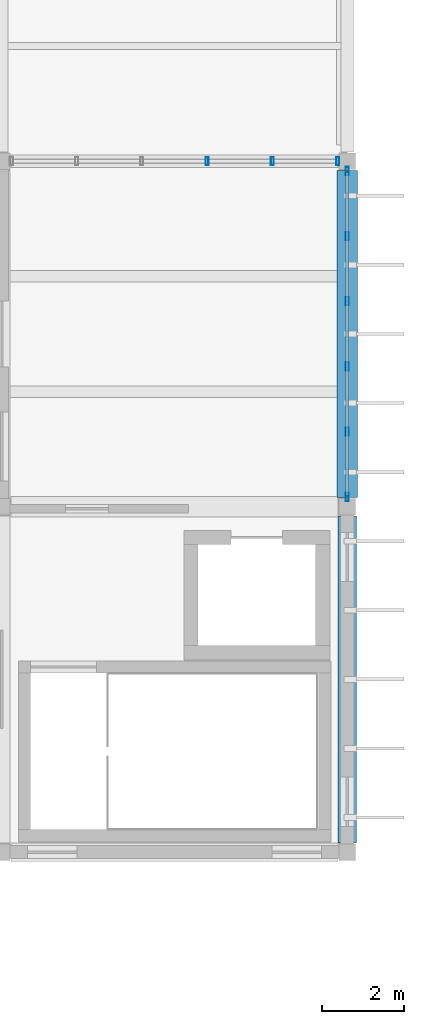
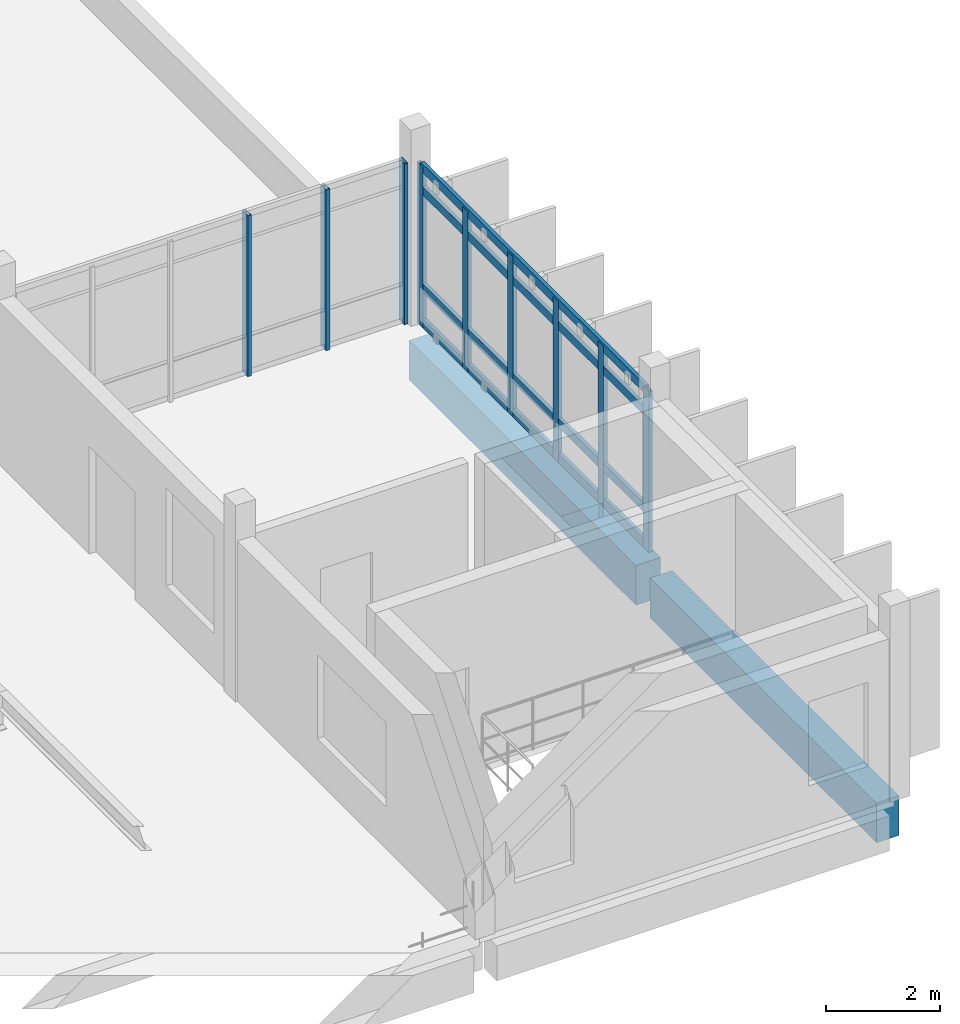
# One storey, part 22 of 41: 13 members, 2 beams, 2 elements without a shape of their own.
"""IFC4 building model written with IfcOpenShell, lengths in metres."""

from ifc_helpers import new_model, si_unit, direction, frame, origin, origin_2d, place, context, subcontext, project, spatial, rectangle, hollow_rectangle, extrude, material, layer, layer_set, material_profile, profile_set, type_object, element, aggregate, save


model = new_model("IFC4")

# Units and contexts
model_context = context("Model", 3, precision=1e-05, world=origin(), true_north=direction((0.0, 1.0)))
body_context = subcontext(model_context, "Body", "Model", "MODEL_VIEW")
ifc_project = project(units=[si_unit("LENGTHUNIT", "METRE"), si_unit("AREAUNIT", "SQUARE_METRE"), si_unit("VOLUMEUNIT", "CUBIC_METRE"), si_unit("PLANEANGLEUNIT", "RADIAN"), si_unit("MASSUNIT", "GRAM", prefix="KILO")], contexts=[model_context])

# Site, building, storey
site_placement = place(None, origin())
site = spatial("IfcSite", under=ifc_project, at=site_placement, CompositionType="ELEMENT")
building_placement = place(site_placement, origin())
building = spatial("IfcBuilding", under=site, at=building_placement, Name="Vireocrest Preparatory School", CompositionType="ELEMENT")
storey_placement = place(building_placement, frame((0.0, 0.0, 21.60009765625)))
storey = spatial("IfcBuildingStorey", under=building, at=storey_placement, Name="L05", CompositionType="ELEMENT", Elevation=21.60009765625)

# Curtain wall, members
ifc_material_1 = material(Name="Thermally broken aluminium EN AW-6063-T6", Category="aluminium")
ifc_layer_1 = layer(ifc_material_1, 0.179931640625)
ifc_layer_set_1 = layer_set([ifc_layer_1], Name="Thermally broken aluminium EN AW-6063-T6")
curtain_wall_type_1 = type_object("IfcCurtainWallType", Name="Teaching Fin Curtain Wall 8400x4200", PredefinedType="USERDEFINED", material=ifc_layer_set_1)
curtain_wall_1_placement = place(storey_placement, origin())
curtain_wall_1 = element("IfcCurtainWall", 1, at=curtain_wall_1_placement, inside=storey, type_object=curtain_wall_type_1, Name="Curtain Wall CW03 CW_L05_CW03_1092_0524_216", ObjectType="CURTAIN WALL", PredefinedType="USERDEFINED")
ifc_material_profile_1 = material_profile(ifc_material_1, hollow_rectangle(XDim=0.074951171875, YDim=0.199951171875, WallThickness=0.0048828125, at=origin_2d()), Name="ALU 75x200x5")
ifc_profile_set_1 = profile_set([ifc_material_profile_1], Name="Thermally broken aluminium EN AW-6063-T6")
member_type_1 = type_object("IfcMemberType", Name="CW Mullion 75x200x5", PredefinedType="MULLION", material=ifc_profile_set_1)
member_1_placement = place(storey_placement, frame((109.199951171875, 52.43505859375, 0.0), z_axis=(0.0, 0.0, 1.0), x_axis=(1.0, 0.0, 0.0)))
member_1 = element("IfcMember", 2, at=member_1_placement, type_object=member_type_1, Name="CW Mullion ML3 CW_L05_CW03_1092_0524_216-1", PredefinedType="MULLION", context=body_context, shape_type="SweptSolid", body=[
    extrude(hollow_rectangle(XDim=0.074951171875, YDim=0.199951171875, WallThickness=0.0048828125, at=origin_2d()), origin(), (0.0, 0.0, 1.0), 3.44482421875),
])
member_2_placement = place(storey_placement, frame((109.199951171875, 54.02099609375, 0.0), z_axis=(0.0, 0.0, 1.0), x_axis=(1.0, 0.0, 0.0)))
member_2 = element("IfcMember", 3, at=member_2_placement, type_object=member_type_1, Name="CW Mullion ML3 CW_L05_CW03_1092_0524_216-2", PredefinedType="MULLION", context=body_context, shape_type="SweptSolid", body=[
    extrude(hollow_rectangle(XDim=0.074951171875, YDim=0.199951171875, WallThickness=0.0048828125, at=origin_2d()), origin(), (0.0, 0.0, 1.0), 3.44482421875),
])
member_3_placement = place(storey_placement, frame((109.199951171875, 55.60693359375, 0.0), z_axis=(0.0, 0.0, 1.0), x_axis=(1.0, 0.0, 0.0)))
member_3 = element("IfcMember", 4, at=member_3_placement, type_object=member_type_1, Name="CW Mullion ML3 CW_L05_CW03_1092_0524_216-3", PredefinedType="MULLION", context=body_context, shape_type="SweptSolid", body=[
    extrude(hollow_rectangle(XDim=0.074951171875, YDim=0.199951171875, WallThickness=0.0048828125, at=origin_2d()), origin(), (0.0, 0.0, 1.0), 3.44482421875),
])
member_4_placement = place(storey_placement, frame((109.199951171875, 57.193115234375, 0.0), z_axis=(0.0, 0.0, 1.0), x_axis=(1.0, 0.0, 0.0)))
member_4 = element("IfcMember", 5, at=member_4_placement, type_object=member_type_1, Name="CW Mullion ML3 CW_L05_CW03_1092_0524_216-4", PredefinedType="MULLION", context=body_context, shape_type="SweptSolid", body=[
    extrude(hollow_rectangle(XDim=0.074951171875, YDim=0.199951171875, WallThickness=0.0048828125, at=origin_2d()), origin(), (0.0, 0.0, 1.0), 3.44482421875),
])
member_5_placement = place(storey_placement, frame((109.199951171875, 58.779052734375, 0.0), z_axis=(0.0, 0.0, 1.0), x_axis=(1.0, 0.0, 0.0)))
member_5 = element("IfcMember", 6, at=member_5_placement, type_object=member_type_1, Name="CW Mullion ML3 CW_L05_CW03_1092_0524_216-5", PredefinedType="MULLION", context=body_context, shape_type="SweptSolid", body=[
    extrude(hollow_rectangle(XDim=0.074951171875, YDim=0.199951171875, WallThickness=0.0048828125, at=origin_2d()), origin(), (0.0, 0.0, 1.0), 3.44482421875),
])
member_6_placement = place(storey_placement, frame((109.199951171875, 60.364990234375, 0.0), z_axis=(0.0, 0.0, 1.0), x_axis=(1.0, 0.0, 0.0)))
member_6 = element("IfcMember", 7, at=member_6_placement, type_object=member_type_1, Name="CW Mullion ML3 CW_L05_CW03_1092_0524_216-6", PredefinedType="MULLION", context=body_context, shape_type="SweptSolid", body=[
    extrude(hollow_rectangle(XDim=0.074951171875, YDim=0.199951171875, WallThickness=0.0048828125, at=origin_2d()), origin(), (0.0, 0.0, 1.0), 3.44482421875),
])

ifc_layer_2 = layer(ifc_material_1, 0.179931640625)
ifc_layer_set_2 = layer_set([ifc_layer_2], Name="Thermally broken aluminium EN AW-6063-T6")
curtain_wall_type_2 = type_object("IfcCurtainWallType", Name="North Street Curtain Wall 8400x4000", PredefinedType="USERDEFINED", material=ifc_layer_set_2)
curtain_wall_2_placement = place(storey_placement, origin())
curtain_wall_2 = element("IfcCurtainWall", 8, at=curtain_wall_2_placement, inside=storey, type_object=curtain_wall_type_2, Name="Curtain Wall CW05 CW_L05_CW05_1010_0606_216", ObjectType="CURTAIN WALL", PredefinedType="USERDEFINED")
member_7_placement = place(storey_placement, frame((105.79296875, 60.60009765625, 0.0), z_axis=(0.0, 0.0, 1.0), x_axis=(1.0, 0.0, 0.0)))
member_7 = element("IfcMember", 9, at=member_7_placement, type_object=member_type_1, Name="CW Mullion ML3 CW_L05_CW05_1010_0606_216-4", PredefinedType="MULLION", context=body_context, shape_type="SweptSolid", body=[
    extrude(hollow_rectangle(XDim=0.074951171875, YDim=0.199951171875, WallThickness=0.0048828125, at=origin_2d()), origin(), (0.0, 0.0, 1.0), 3.44482421875),
])
member_8_placement = place(storey_placement, frame((107.37890625, 60.60009765625, 0.0), z_axis=(0.0, 0.0, 1.0), x_axis=(1.0, 0.0, 0.0)))
member_8 = element("IfcMember", 10, at=member_8_placement, type_object=member_type_1, Name="CW Mullion ML3 CW_L05_CW05_1010_0606_216-5", PredefinedType="MULLION", context=body_context, shape_type="SweptSolid", body=[
    extrude(hollow_rectangle(XDim=0.074951171875, YDim=0.199951171875, WallThickness=0.0048828125, at=origin_2d()), origin(), (0.0, 0.0, 1.0), 3.44482421875),
])
member_9_placement = place(storey_placement, frame((108.965087890625, 60.60009765625, 0.0), z_axis=(0.0, 0.0, 1.0), x_axis=(1.0, 0.0, 0.0)))
member_9 = element("IfcMember", 11, at=member_9_placement, type_object=member_type_1, Name="CW Mullion ML3 CW_L05_CW05_1010_0606_216-6", PredefinedType="MULLION", context=body_context, shape_type="SweptSolid", body=[
    extrude(hollow_rectangle(XDim=0.074951171875, YDim=0.199951171875, WallThickness=0.0048828125, at=origin_2d()), origin(), (0.0, 0.0, 1.0), 3.44482421875),
])
aggregate(curtain_wall_2, [member_7, member_8, member_9])

# Member
ifc_material_profile_2 = material_profile(ifc_material_1, hollow_rectangle(XDim=0.074951171875, YDim=0.18994140625, WallThickness=0.00390625, at=origin_2d()), Name="ALU 75x190x4")
ifc_profile_set_2 = profile_set([ifc_material_profile_2], Name="Thermally broken aluminium EN AW-6063-T6")
member_type_2 = type_object("IfcMemberType", Name="CW Transom 75x190x4", PredefinedType="USERDEFINED", material=ifc_profile_set_2)
member_10_placement = place(storey_placement, frame((109.199951171875, 52.4599609375, 0.094970703125), z_axis=(0.0, 1.0, 0.0), x_axis=(-1.0, 0.0, 0.0)))
member_10 = element("IfcMember", 12, at=member_10_placement, type_object=member_type_2, Name="CW Transom TR3 CW_L05_CW03_1092_0524_216-1", ObjectType="TRANSOM", PredefinedType="USERDEFINED", context=body_context, shape_type="SweptSolid", body=[
    extrude(hollow_rectangle(XDim=0.074951171875, YDim=0.18994140625, WallThickness=0.00390625, at=origin_2d()), origin(), (0.0, 0.0, 1.0), 7.880126953125),
])

member_11_placement = place(storey_placement, frame((109.199951171875, 52.4599609375, 0.849853515625), z_axis=(0.0, 1.0, 0.0), x_axis=(-1.0, 0.0, 0.0)))
member_11 = element("IfcMember", 13, at=member_11_placement, type_object=member_type_2, Name="CW Transom TR3 CW_L05_CW03_1092_0524_216-2", ObjectType="TRANSOM", PredefinedType="USERDEFINED", context=body_context, shape_type="SweptSolid", body=[
    extrude(hollow_rectangle(XDim=0.074951171875, YDim=0.18994140625, WallThickness=0.00390625, at=origin_2d()), origin(), (0.0, 0.0, 1.0), 7.880126953125),
])

member_12_placement = place(storey_placement, frame((109.199951171875, 52.4599609375, 2.929931640625), z_axis=(0.0, 1.0, 0.0), x_axis=(-1.0, 0.0, 0.0)))
member_12 = element("IfcMember", 14, at=member_12_placement, type_object=member_type_2, Name="CW Transom TR3 CW_L05_CW03_1092_0524_216-3", ObjectType="TRANSOM", PredefinedType="USERDEFINED", context=body_context, shape_type="SweptSolid", body=[
    extrude(hollow_rectangle(XDim=0.074951171875, YDim=0.18994140625, WallThickness=0.00390625, at=origin_2d()), origin(), (0.0, 0.0, 1.0), 7.880126953125),
])

member_13_placement = place(storey_placement, frame((109.199951171875, 52.4599609375, 3.40478515625), z_axis=(0.0, 1.0, 0.0), x_axis=(-1.0, 0.0, 0.0)))
member_13 = element("IfcMember", 15, at=member_13_placement, type_object=member_type_2, Name="CW Transom TR3 CW_L05_CW03_1092_0524_216-4", ObjectType="TRANSOM", PredefinedType="USERDEFINED", context=body_context, shape_type="SweptSolid", body=[
    extrude(hollow_rectangle(XDim=0.074951171875, YDim=0.18994140625, WallThickness=0.00390625, at=origin_2d()), origin(), (0.0, 0.0, 1.0), 7.880126953125),
])

aggregate(curtain_wall_1, [member_1, member_2, member_3, member_4, member_5, member_6, member_10, member_11, member_12, member_13])

# Beams
ifc_material_2 = material(Name="Concrete 40 MPa", Category="concrete")
ifc_material_profile_3 = material_profile(ifc_material_2, rectangle(XDim=0.449951171875, YDim=0.85009765625, at=origin_2d()), Name="RC 450x850")
ifc_profile_set_3 = profile_set([ifc_material_profile_3], Name="Concrete 40 MPa")
beam_type_1 = type_object("IfcBeamType", Name="RC Heavy Floor Girder 450x850", PredefinedType="BEAM", material=ifc_profile_set_3)
beam_1_placement = place(storey_placement, frame((109.199951171875, 44.02490234375, -0.68505859375), z_axis=(0.0, 1.0, 0.0), x_axis=(-1.0, 0.0, 0.0)))
element("IfcBeam", 16, at=beam_1_placement, inside=storey, type_object=beam_type_1, Name="Primary Girder B13 L05-1608", PredefinedType="BEAM", context=body_context, shape_type="SweptSolid", body=[
    extrude(rectangle(XDim=0.449951171875, YDim=0.85009765625, at=origin_2d()), origin(), (0.0, 0.0, 1.0), 7.9501953125),
])
ifc_material_profile_4 = material_profile(ifc_material_2, rectangle(XDim=0.5, YDim=0.85009765625, at=origin_2d()), Name="RC 500x850")
ifc_profile_set_4 = profile_set([ifc_material_profile_4], Name="Concrete 40 MPa")
beam_type_2 = type_object("IfcBeamType", Name="RC Podium Girder 500x850", PredefinedType="BEAM", material=ifc_profile_set_4)
beam_2_placement = place(storey_placement, frame((109.199951171875, 52.425048828125, -0.68505859375), z_axis=(0.0, 1.0, 0.0), x_axis=(-1.0, 0.0, 0.0)))
element("IfcBeam", 17, at=beam_2_placement, inside=storey, type_object=beam_type_2, Name="Primary Girder B14 L05-1609", PredefinedType="BEAM", context=body_context, shape_type="SweptSolid", body=[
    extrude(rectangle(XDim=0.5, YDim=0.85009765625, at=origin_2d()), origin(), (0.0, 0.0, 1.0), 7.949951171875),
])

save(model, "model.ifc")
